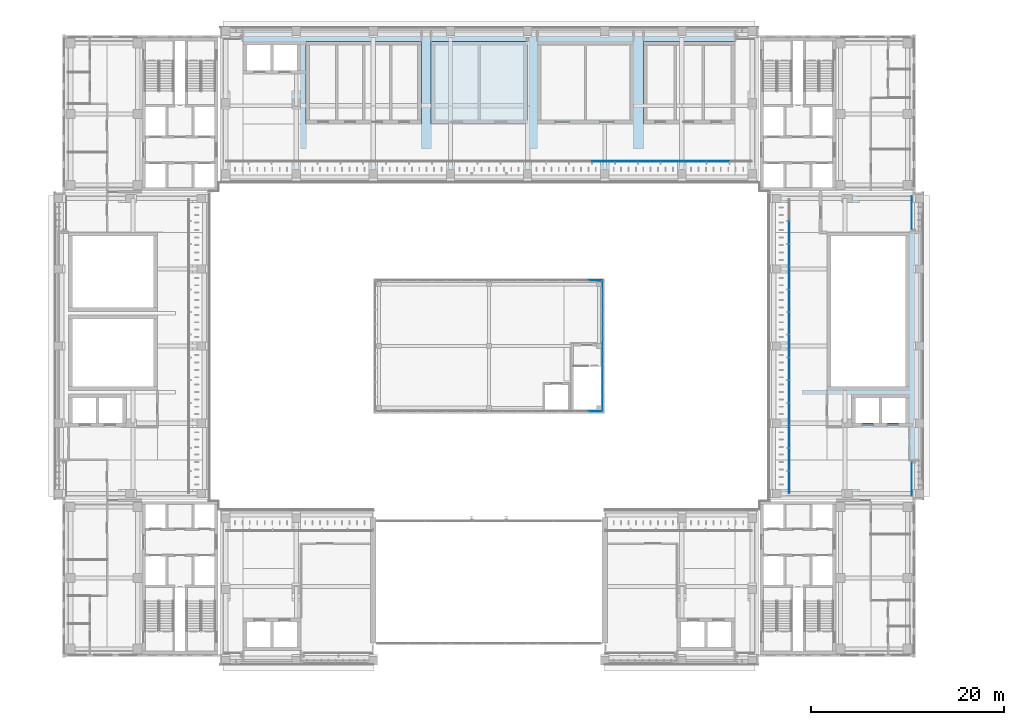
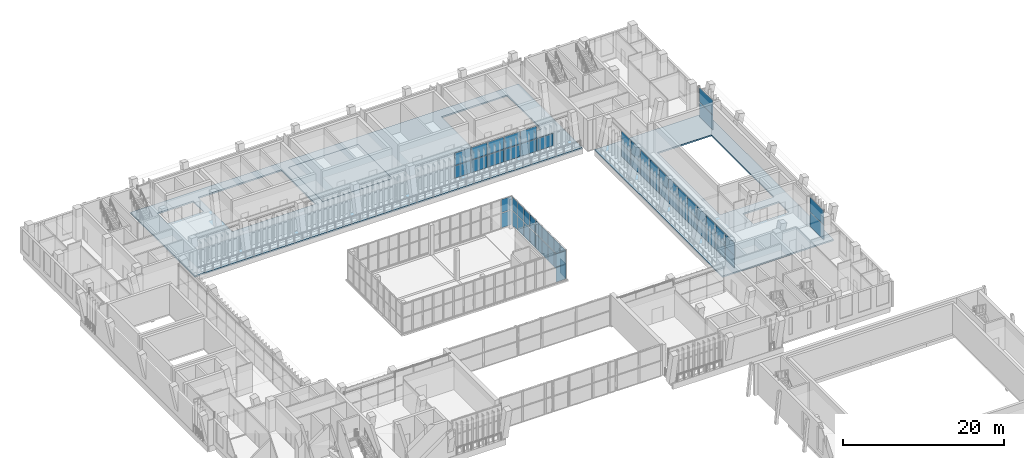
# One storey, part 56 of 92: 61 plates, 3 slabs, 7 elements without a shape of their own.
"""IFC4 building model written with IfcOpenShell, lengths in metres."""

import ifcopenshell
import ifcopenshell.guid

model = None  # the IFC model being written
_history = None  # IfcOwnerHistory: only IFC2X3 demands one
_inside = {}  # id of a spatial element -> (the spatial element, [elements in it])
_under = {}  # id of a project, library or spatial element -> (it, [spatial elements below it])
_declared = {}  # id of a project -> (the project, [libraries it declares])
_typed = {}  # id of a type object -> (the type object, [elements of that type])
_made_of = {}  # id of a material, layer set ... -> (it, [elements and type objects made of it])


def new_model(schema):
    """Start an empty IFC model of exactly this schema.

    Asked for "IFC4X3", IfcOpenShell would pick the latest addendum, in which some entities
    have other attributes; the version numbers below select the first issue.
    IFC2X3 requires an IfcOwnerHistory on every rooted entity: one is made here for all.
    """
    global model, _history
    if schema == "IFC4X3":
        model = ifcopenshell.file(schema_version=(4, 3, 0, 0))
    else:
        model = ifcopenshell.file(schema=schema)
    _inside.clear()
    _under.clear()
    _declared.clear()
    _typed.clear()
    _made_of.clear()
    _history = None
    if model.schema == "IFC2X3":
        org = make("IfcOrganization", Name="unknown")
        user = make(
            "IfcPersonAndOrganization",
            ThePerson=make("IfcPerson", FamilyName="unknown"),
            TheOrganization=org,
        )
        app = make(
            "IfcApplication",
            ApplicationDeveloper=org,
            Version="unknown",
            ApplicationFullName="unknown",
            ApplicationIdentifier="unknown",
        )
        _history = make(
            "IfcOwnerHistory",
            OwningUser=user,
            OwningApplication=app,
            ChangeAction="ADDED",
            CreationDate=0,
        )
    return model


def make(cls, **values):
    """One entity of the class cls with the attributes given. An attribute that is None is left unset."""
    return model.create_entity(
        cls, **{name: value for name, value in values.items() if value is not None}
    )


def rooted(cls, **values):
    """An entity with a GlobalId (a new one), such as an element, a storey or a relation."""
    return make(cls, GlobalId=ifcopenshell.guid.new(), OwnerHistory=_history, **values)


def si_unit(unit_type, name, prefix=None):
    """IfcSIUnit, for example si_unit("LENGTHUNIT", "METRE", prefix="MILLI")."""
    return make("IfcSIUnit", UnitType=unit_type, Prefix=prefix, Name=name)


def assignment(units):
    """IfcUnitAssignment: the units of a project."""
    return None if units is None else make("IfcUnitAssignment", Units=units)


def point(xyz):
    """IfcCartesianPoint."""
    return None if xyz is None else make("IfcCartesianPoint", Coordinates=xyz)


def direction(xyz):
    """IfcDirection."""
    return None if xyz is None else make("IfcDirection", DirectionRatios=xyz)


def frame(location, z_axis=None, x_axis=None):
    """IfcAxis2Placement3D, a coordinate frame: its origin and axes. An axis left out is left unset."""
    return make(
        "IfcAxis2Placement3D",
        Location=point(location),
        Axis=direction(z_axis),
        RefDirection=direction(x_axis),
    )


def frame_2d(location, x_axis=None):
    """IfcAxis2Placement2D, a coordinate frame in the plane: its origin and x axis."""
    return make(
        "IfcAxis2Placement2D", Location=point(location), RefDirection=direction(x_axis)
    )


def origin():
    """The frame at (0, 0, 0) with its axes left unset."""
    return frame((0.0, 0.0, 0.0))


def origin_2d():
    """The frame at (0, 0) in the plane with its x axis left unset."""
    return frame_2d((0.0, 0.0))


def place(relative_to, where):
    """IfcLocalPlacement: puts the frame where relative to a parent placement (None: the world)."""
    return make(
        "IfcLocalPlacement", PlacementRelTo=relative_to, RelativePlacement=where
    )


def context(
    kind, dimensions, precision=None, world=None, true_north=None, identifier=None
):
    """IfcGeometricRepresentationContext, for example the 3D "Model" context."""
    return make(
        "IfcGeometricRepresentationContext",
        ContextIdentifier=identifier,
        ContextType=kind,
        CoordinateSpaceDimension=dimensions,
        Precision=precision,
        WorldCoordinateSystem=world,
        TrueNorth=true_north,
    )


def subcontext(parent, identifier, kind, view, scale=None):
    """IfcGeometricRepresentationSubContext, for example "Body" below "Model"."""
    return make(
        "IfcGeometricRepresentationSubContext",
        ContextIdentifier=identifier,
        ContextType=kind,
        ParentContext=parent,
        TargetScale=scale,
        TargetView=view,
    )


def project(units=None, contexts=None):
    """IfcProject with its units and contexts."""
    return rooted(
        "IfcProject",
        Name="project",
        RepresentationContexts=contexts,
        UnitsInContext=assignment(units),
    )


def spatial(cls, under=None, at=None, **own):
    """A site, building, storey or space (cls), placed at a placement, below another one or the project."""
    s = rooted(cls, ObjectPlacement=at, **own)
    if under is not None:
        _under.setdefault(under.id(), (under, []))[1].append(s)
    return s


def polyline(points):
    """IfcPolyline through the points."""
    return make("IfcPolyline", Points=[point(p) for p in points])


def profile(cls, at=None, kind="AREA", **sizes):
    """A parametric profile (cls). Its sizes go by their IFC names, for example OverallWidth=200.0."""
    return make(cls, ProfileType=kind, Position=at, **sizes)


def rectangle(**sizes):
    """IfcRectangleProfileDef."""
    return profile("IfcRectangleProfileDef", **sizes)


def outline(outer, holes=None, kind="AREA"):
    """IfcArbitraryClosedProfileDef: a profile drawn as a closed curve; with holes, ...WithVoids."""
    if holes is None:
        return make("IfcArbitraryClosedProfileDef", ProfileType=kind, OuterCurve=outer)
    return make(
        "IfcArbitraryProfileDefWithVoids",
        ProfileType=kind,
        OuterCurve=outer,
        InnerCurves=holes,
    )


def extrude(swept, where, along, depth):
    """IfcExtrudedAreaSolid: the profile swept, set in the frame where, extruded along a direction by depth."""
    return make(
        "IfcExtrudedAreaSolid",
        SweptArea=swept,
        Position=where,
        ExtrudedDirection=direction(along),
        Depth=depth,
    )


def shape(context_of_items, identifier, shape_type, items):
    """IfcShapeRepresentation: the items that make up one representation, for example the "Body"."""
    return make(
        "IfcShapeRepresentation",
        ContextOfItems=context_of_items,
        RepresentationIdentifier=identifier,
        RepresentationType=shape_type,
        Items=items,
    )


def material(Name=None, Category=None):
    """IfcMaterial."""
    return make("IfcMaterial", Name=Name, Category=Category)


def layer(
    of_material, thickness, ventilated=None, Name=None, Category=None, Priority=None
):
    """IfcMaterialLayer: one layer of a wall or slab, of a material (None: an air gap)."""
    return make(
        "IfcMaterialLayer",
        Material=of_material,
        LayerThickness=thickness,
        IsVentilated=ventilated,
        Name=Name,
        Category=Category,
        Priority=Priority,
    )


def layer_set(layers, Name=None):
    """IfcMaterialLayerSet."""
    return make("IfcMaterialLayerSet", MaterialLayers=layers, LayerSetName=Name)


def made_of(thing, what):
    """Note that an element or type object is made of a material, layer set ...; save() writes the relation."""
    if what is not None:
        _made_of.setdefault(what.id(), (what, []))[1].append(thing)
    return thing


def type_object(cls, material=None, **own):
    """A type object (cls), such as IfcWallType, which elements share."""
    return made_of(rooted(cls, **own), material)


def element(
    cls,
    number,
    at=None,
    inside=None,
    cuts=None,
    type_object=None,
    material=None,
    context=None,
    identifier="Body",
    shape_type=None,
    held_by="IfcProductDefinitionShape",
    body=None,
    shapes=None,
    **own,
):
    """One element of the class cls, such as IfcWall. Its Tag is "e" and its number.

    at: its placement. inside: the storey or other place that contains it. cuts: it is an
    opening in that element (IfcRelVoidsElement). A single representation is given by context,
    identifier, shape_type and body (its items); several are given by shapes. held_by: the class
    of the entity that holds the representations. save() writes the other relations.
    """
    e = rooted(cls, Tag="e%d" % number, ObjectPlacement=at, **own)
    if body is not None:
        shapes = [shape(context, identifier, shape_type, body)]
    if shapes is not None:
        e.Representation = make(held_by, Representations=shapes)
    if inside is not None:
        _inside.setdefault(inside.id(), (inside, []))[1].append(e)
    if cuts is not None:
        rooted(
            "IfcRelVoidsElement", RelatingBuildingElement=cuts, RelatedOpeningElement=e
        )
    if type_object is not None:
        _typed.setdefault(type_object.id(), (type_object, []))[1].append(e)
    return made_of(e, material)


def aggregate(whole, parts):
    """IfcRelAggregates: a whole, such as a stair, and the parts it consists of."""
    return rooted("IfcRelAggregates", RelatingObject=whole, RelatedObjects=parts)


def save(model, path):
    """Write the relations noted so far, then the file.

    IfcRelAggregates (storeys below a building ...), IfcRelContainedInSpatialStructure (elements
    in a storey), IfcRelDefinesByType, IfcRelAssociatesMaterial and IfcRelDeclares: one each for
    every whole, place, type object, material and project.
    """
    for whole, parts in _under.values():
        aggregate(whole, parts)
    for where, things in _inside.values():
        rooted(
            "IfcRelContainedInSpatialStructure",
            RelatedElements=things,
            RelatingStructure=where,
        )
    for kind, things in _typed.values():
        rooted("IfcRelDefinesByType", RelatedObjects=things, RelatingType=kind)
    for what, things in _made_of.values():
        rooted("IfcRelAssociatesMaterial", RelatedObjects=things, RelatingMaterial=what)
    for by, libraries in _declared.values():
        rooted("IfcRelDeclares", RelatingContext=by, RelatedDefinitions=libraries)
    model.write(path)


model = new_model("IFC4")

# Units and contexts
model_context = context("Model", 3, precision=1e-05, world=origin(), true_north=direction((0.0, 1.0)))
body_context = subcontext(model_context, "Body", "Model", "MODEL_VIEW")
ifc_project = project(units=[si_unit("LENGTHUNIT", "METRE"), si_unit("AREAUNIT", "SQUARE_METRE"), si_unit("VOLUMEUNIT", "CUBIC_METRE"), si_unit("PLANEANGLEUNIT", "RADIAN"), si_unit("MASSUNIT", "GRAM", prefix="KILO")], contexts=[model_context])

# Site, building, storey
site_placement = place(None, origin())
site = spatial("IfcSite", under=ifc_project, at=site_placement, CompositionType="ELEMENT")
building_placement = place(site_placement, origin())
building = spatial("IfcBuilding", under=site, at=building_placement, Name="Lantern Court Media Centre", CompositionType="ELEMENT")
storey_placement = place(building_placement, frame((0.0, 0.0, 4.800048828125)))
storey = spatial("IfcBuildingStorey", under=building, at=storey_placement, Name="L01", CompositionType="ELEMENT", Elevation=4.800048828125)

# Curtain wall, plates
ifc_material_1 = material(Name="Curtain wall bay 2400")
curtain_wall_type_1 = type_object("IfcCurtainWallType", Name="Curtain wall bay 2400", PredefinedType="NOTDEFINED", material=ifc_material_1)
curtain_wall_1_placement = place(storey_placement, origin())
curtain_wall_1 = element("IfcCurtainWall", 1, at=curtain_wall_1_placement, inside=storey, type_object=curtain_wall_type_1, Name="Curtain wall N inner L01", PredefinedType="NOTDEFINED")
ifc_material_2 = material(Name="Low-iron double glazed unit glass", Category="glass")
ifc_layer_1 = layer(ifc_material_2, 0.02392578125)
ifc_layer_set_1 = layer_set([ifc_layer_1], Name="Low-iron double glazed unit glass")
plate_type_1 = type_object("IfcPlateType", Name="Curtain wall glazing unit 24", PredefinedType="CURTAIN_PANEL", material=ifc_layer_set_1)
plate_1_placement = place(storey_placement, frame((63.86962890625, 99.14990234375, 0.050048828125), z_axis=(0.0, 0.0, 1.0), x_axis=(1.0, 0.0, 0.0)))
plate_1 = element("IfcPlate", 2, at=plate_1_placement, type_object=plate_type_1, Name="CW2 panel 17.1", PredefinedType="CURTAIN_PANEL", context=body_context, shape_type="SweptSolid", body=[
    extrude(rectangle(XDim=2.323974609375, YDim=0.02392578125, at=origin_2d()), origin(), (0.0, 0.0, 1.0), 1.89990234375),
])
plate_2_placement = place(storey_placement, frame((63.86962890625, 99.14990234375, 2.0), z_axis=(0.0, 0.0, 1.0), x_axis=(1.0, 0.0, 0.0)))
plate_2 = element("IfcPlate", 3, at=plate_2_placement, type_object=plate_type_1, Name="CW2 panel 17.2", PredefinedType="CURTAIN_PANEL", context=body_context, shape_type="SweptSolid", body=[
    extrude(rectangle(XDim=2.323974609375, YDim=0.02392578125, at=origin_2d()), origin(), (0.0, 0.0, 1.0), 1.89990234375),
])
plate_3_placement = place(storey_placement, frame((66.243408203125, 99.14990234375, 0.050048828125), z_axis=(0.0, 0.0, 1.0), x_axis=(1.0, 0.0, 0.0)))
plate_3 = element("IfcPlate", 4, at=plate_3_placement, type_object=plate_type_1, Name="CW2 panel 18.1", PredefinedType="CURTAIN_PANEL", context=body_context, shape_type="SweptSolid", body=[
    extrude(rectangle(XDim=2.323974609375, YDim=0.02392578125, at=origin_2d()), origin(), (0.0, 0.0, 1.0), 1.89990234375),
])
plate_4_placement = place(storey_placement, frame((66.243408203125, 99.14990234375, 2.0), z_axis=(0.0, 0.0, 1.0), x_axis=(1.0, 0.0, 0.0)))
plate_4 = element("IfcPlate", 5, at=plate_4_placement, type_object=plate_type_1, Name="CW2 panel 18.2", PredefinedType="CURTAIN_PANEL", context=body_context, shape_type="SweptSolid", body=[
    extrude(rectangle(XDim=2.323974609375, YDim=0.02392578125, at=origin_2d()), origin(), (0.0, 0.0, 1.0), 1.89990234375),
])
plate_5_placement = place(storey_placement, frame((68.617431640625, 99.14990234375, 0.050048828125), z_axis=(0.0, 0.0, 1.0), x_axis=(1.0, 0.0, 0.0)))
plate_5 = element("IfcPlate", 6, at=plate_5_placement, type_object=plate_type_1, Name="CW2 panel 19.1", PredefinedType="CURTAIN_PANEL", context=body_context, shape_type="SweptSolid", body=[
    extrude(rectangle(XDim=2.323974609375, YDim=0.02392578125, at=origin_2d()), origin(), (0.0, 0.0, 1.0), 1.89990234375),
])
plate_6_placement = place(storey_placement, frame((68.617431640625, 99.14990234375, 2.0), z_axis=(0.0, 0.0, 1.0), x_axis=(1.0, 0.0, 0.0)))
plate_6 = element("IfcPlate", 7, at=plate_6_placement, type_object=plate_type_1, Name="CW2 panel 19.2", PredefinedType="CURTAIN_PANEL", context=body_context, shape_type="SweptSolid", body=[
    extrude(rectangle(XDim=2.323974609375, YDim=0.02392578125, at=origin_2d()), origin(), (0.0, 0.0, 1.0), 1.89990234375),
])
plate_7_placement = place(storey_placement, frame((70.9912109375, 99.14990234375, 0.050048828125), z_axis=(0.0, 0.0, 1.0), x_axis=(1.0, 0.0, 0.0)))
plate_7 = element("IfcPlate", 8, at=plate_7_placement, type_object=plate_type_1, Name="CW2 panel 20.1", PredefinedType="CURTAIN_PANEL", context=body_context, shape_type="SweptSolid", body=[
    extrude(rectangle(XDim=2.323974609375, YDim=0.02392578125, at=origin_2d()), origin(), (0.0, 0.0, 1.0), 1.89990234375),
])
plate_8_placement = place(storey_placement, frame((70.9912109375, 99.14990234375, 2.0), z_axis=(0.0, 0.0, 1.0), x_axis=(1.0, 0.0, 0.0)))
plate_8 = element("IfcPlate", 9, at=plate_8_placement, type_object=plate_type_1, Name="CW2 panel 20.2", PredefinedType="CURTAIN_PANEL", context=body_context, shape_type="SweptSolid", body=[
    extrude(rectangle(XDim=2.323974609375, YDim=0.02392578125, at=origin_2d()), origin(), (0.0, 0.0, 1.0), 1.89990234375),
])
plate_9_placement = place(storey_placement, frame((73.365234375, 99.14990234375, 0.050048828125), z_axis=(0.0, 0.0, 1.0), x_axis=(1.0, 0.0, 0.0)))
plate_9 = element("IfcPlate", 10, at=plate_9_placement, type_object=plate_type_1, Name="CW2 panel 21.1", PredefinedType="CURTAIN_PANEL", context=body_context, shape_type="SweptSolid", body=[
    extrude(rectangle(XDim=2.323974609375, YDim=0.02392578125, at=origin_2d()), origin(), (0.0, 0.0, 1.0), 1.89990234375),
])
plate_10_placement = place(storey_placement, frame((73.365234375, 99.14990234375, 2.0), z_axis=(0.0, 0.0, 1.0), x_axis=(1.0, 0.0, 0.0)))
plate_10 = element("IfcPlate", 11, at=plate_10_placement, type_object=plate_type_1, Name="CW2 panel 21.2", PredefinedType="CURTAIN_PANEL", context=body_context, shape_type="SweptSolid", body=[
    extrude(rectangle(XDim=2.323974609375, YDim=0.02392578125, at=origin_2d()), origin(), (0.0, 0.0, 1.0), 1.89990234375),
])
plate_11_placement = place(storey_placement, frame((75.739013671875, 99.14990234375, 0.050048828125), z_axis=(0.0, 0.0, 1.0), x_axis=(1.0, 0.0, 0.0)))
plate_11 = element("IfcPlate", 12, at=plate_11_placement, type_object=plate_type_1, Name="CW2 panel 22.1", PredefinedType="CURTAIN_PANEL", context=body_context, shape_type="SweptSolid", body=[
    extrude(rectangle(XDim=2.323974609375, YDim=0.02392578125, at=origin_2d()), origin(), (0.0, 0.0, 1.0), 1.89990234375),
])
aggregate(curtain_wall_1, [plate_1, plate_2, plate_3, plate_4, plate_5, plate_6, plate_7, plate_8, plate_9, plate_10, plate_11])

curtain_wall_2_placement = place(storey_placement, origin())
curtain_wall_2 = element("IfcCurtainWall", 13, at=curtain_wall_2_placement, inside=storey, type_object=curtain_wall_type_1, Name="Curtain wall E inner L01", PredefinedType="NOTDEFINED")
plate_12_placement = place(storey_placement, frame((83.14990234375, 65.889404296875, 0.050048828125), z_axis=(0.0, 0.0, 1.0), x_axis=(0.0, 1.0, 0.0)))
plate_12 = element("IfcPlate", 14, at=plate_12_placement, type_object=plate_type_1, Name="CW2 panel 1.1", PredefinedType="CURTAIN_PANEL", context=body_context, shape_type="SweptSolid", body=[
    extrude(rectangle(XDim=2.27880859375, YDim=0.02392578125, at=origin_2d()), origin(), (0.0, 0.0, 1.0), 1.89990234375),
])
plate_13_placement = place(storey_placement, frame((83.14990234375, 65.889404296875, 2.0), z_axis=(0.0, 0.0, 1.0), x_axis=(0.0, 1.0, 0.0)))
plate_13 = element("IfcPlate", 15, at=plate_13_placement, type_object=plate_type_1, Name="CW2 panel 1.2", PredefinedType="CURTAIN_PANEL", context=body_context, shape_type="SweptSolid", body=[
    extrude(rectangle(XDim=2.27880859375, YDim=0.02392578125, at=origin_2d()), origin(), (0.0, 0.0, 1.0), 1.89990234375),
])
plate_14_placement = place(storey_placement, frame((83.14990234375, 68.230712890625, 0.050048828125), z_axis=(0.0, 0.0, 1.0), x_axis=(0.0, 1.0, 0.0)))
plate_14 = element("IfcPlate", 16, at=plate_14_placement, type_object=plate_type_1, Name="CW2 panel 2.1", PredefinedType="CURTAIN_PANEL", context=body_context, shape_type="SweptSolid", body=[
    extrude(rectangle(XDim=2.303955078125, YDim=0.02392578125, at=origin_2d()), origin(), (0.0, 0.0, 1.0), 1.89990234375),
])
plate_15_placement = place(storey_placement, frame((83.14990234375, 68.230712890625, 2.0), z_axis=(0.0, 0.0, 1.0), x_axis=(0.0, 1.0, 0.0)))
plate_15 = element("IfcPlate", 17, at=plate_15_placement, type_object=plate_type_1, Name="CW2 panel 2.2", PredefinedType="CURTAIN_PANEL", context=body_context, shape_type="SweptSolid", body=[
    extrude(rectangle(XDim=2.303955078125, YDim=0.02392578125, at=origin_2d()), origin(), (0.0, 0.0, 1.0), 1.89990234375),
])
plate_16_placement = place(storey_placement, frame((83.14990234375, 70.584716796875, 0.050048828125), z_axis=(0.0, 0.0, 1.0), x_axis=(0.0, 1.0, 0.0)))
plate_16 = element("IfcPlate", 18, at=plate_16_placement, type_object=plate_type_1, Name="CW2 panel 3.1", PredefinedType="CURTAIN_PANEL", context=body_context, shape_type="SweptSolid", body=[
    extrude(rectangle(XDim=2.303955078125, YDim=0.02392578125, at=origin_2d()), origin(), (0.0, 0.0, 1.0), 1.89990234375),
])
plate_17_placement = place(storey_placement, frame((83.14990234375, 70.584716796875, 2.0), z_axis=(0.0, 0.0, 1.0), x_axis=(0.0, 1.0, 0.0)))
plate_17 = element("IfcPlate", 19, at=plate_17_placement, type_object=plate_type_1, Name="CW2 panel 3.2", PredefinedType="CURTAIN_PANEL", context=body_context, shape_type="SweptSolid", body=[
    extrude(rectangle(XDim=2.303955078125, YDim=0.02392578125, at=origin_2d()), origin(), (0.0, 0.0, 1.0), 1.89990234375),
])
plate_18_placement = place(storey_placement, frame((83.14990234375, 72.9384765625, 0.050048828125), z_axis=(0.0, 0.0, 1.0), x_axis=(0.0, 1.0, 0.0)))
plate_18 = element("IfcPlate", 20, at=plate_18_placement, type_object=plate_type_1, Name="CW2 panel 4.1", PredefinedType="CURTAIN_PANEL", context=body_context, shape_type="SweptSolid", body=[
    extrude(rectangle(XDim=2.303955078125, YDim=0.02392578125, at=origin_2d()), origin(), (0.0, 0.0, 1.0), 1.89990234375),
])
plate_19_placement = place(storey_placement, frame((83.14990234375, 72.9384765625, 2.0), z_axis=(0.0, 0.0, 1.0), x_axis=(0.0, 1.0, 0.0)))
plate_19 = element("IfcPlate", 21, at=plate_19_placement, type_object=plate_type_1, Name="CW2 panel 4.2", PredefinedType="CURTAIN_PANEL", context=body_context, shape_type="SweptSolid", body=[
    extrude(rectangle(XDim=2.303955078125, YDim=0.02392578125, at=origin_2d()), origin(), (0.0, 0.0, 1.0), 1.89990234375),
])
plate_20_placement = place(storey_placement, frame((83.14990234375, 75.292236328125, 0.050048828125), z_axis=(0.0, 0.0, 1.0), x_axis=(0.0, 1.0, 0.0)))
plate_20 = element("IfcPlate", 22, at=plate_20_placement, type_object=plate_type_1, Name="CW2 panel 5.1", PredefinedType="CURTAIN_PANEL", context=body_context, shape_type="SweptSolid", body=[
    extrude(rectangle(XDim=2.303955078125, YDim=0.02392578125, at=origin_2d()), origin(), (0.0, 0.0, 1.0), 1.89990234375),
])
plate_21_placement = place(storey_placement, frame((83.14990234375, 75.292236328125, 2.0), z_axis=(0.0, 0.0, 1.0), x_axis=(0.0, 1.0, 0.0)))
plate_21 = element("IfcPlate", 23, at=plate_21_placement, type_object=plate_type_1, Name="CW2 panel 5.2", PredefinedType="CURTAIN_PANEL", context=body_context, shape_type="SweptSolid", body=[
    extrude(rectangle(XDim=2.303955078125, YDim=0.02392578125, at=origin_2d()), origin(), (0.0, 0.0, 1.0), 1.89990234375),
])
plate_22_placement = place(storey_placement, frame((83.14990234375, 77.646240234375, 0.050048828125), z_axis=(0.0, 0.0, 1.0), x_axis=(0.0, 1.0, 0.0)))
plate_22 = element("IfcPlate", 24, at=plate_22_placement, type_object=plate_type_1, Name="CW2 panel 6.1", PredefinedType="CURTAIN_PANEL", context=body_context, shape_type="SweptSolid", body=[
    extrude(rectangle(XDim=2.303955078125, YDim=0.02392578125, at=origin_2d()), origin(), (0.0, 0.0, 1.0), 1.89990234375),
])
plate_23_placement = place(storey_placement, frame((83.14990234375, 77.646240234375, 2.0), z_axis=(0.0, 0.0, 1.0), x_axis=(0.0, 1.0, 0.0)))
plate_23 = element("IfcPlate", 25, at=plate_23_placement, type_object=plate_type_1, Name="CW2 panel 6.2", PredefinedType="CURTAIN_PANEL", context=body_context, shape_type="SweptSolid", body=[
    extrude(rectangle(XDim=2.303955078125, YDim=0.02392578125, at=origin_2d()), origin(), (0.0, 0.0, 1.0), 1.89990234375),
])
plate_24_placement = place(storey_placement, frame((83.14990234375, 80.0, 0.050048828125), z_axis=(0.0, 0.0, 1.0), x_axis=(0.0, 1.0, 0.0)))
plate_24 = element("IfcPlate", 26, at=plate_24_placement, type_object=plate_type_1, Name="CW2 panel 7.1", PredefinedType="CURTAIN_PANEL", context=body_context, shape_type="SweptSolid", body=[
    extrude(rectangle(XDim=2.303955078125, YDim=0.02392578125, at=origin_2d()), origin(), (0.0, 0.0, 1.0), 1.89990234375),
])
plate_25_placement = place(storey_placement, frame((83.14990234375, 80.0, 2.0), z_axis=(0.0, 0.0, 1.0), x_axis=(0.0, 1.0, 0.0)))
plate_25 = element("IfcPlate", 27, at=plate_25_placement, type_object=plate_type_1, Name="CW2 panel 7.2", PredefinedType="CURTAIN_PANEL", context=body_context, shape_type="SweptSolid", body=[
    extrude(rectangle(XDim=2.303955078125, YDim=0.02392578125, at=origin_2d()), origin(), (0.0, 0.0, 1.0), 1.89990234375),
])
plate_26_placement = place(storey_placement, frame((83.14990234375, 82.353759765625, 0.050048828125), z_axis=(0.0, 0.0, 1.0), x_axis=(0.0, 1.0, 0.0)))
plate_26 = element("IfcPlate", 28, at=plate_26_placement, type_object=plate_type_1, Name="CW2 panel 8.1", PredefinedType="CURTAIN_PANEL", context=body_context, shape_type="SweptSolid", body=[
    extrude(rectangle(XDim=2.303955078125, YDim=0.02392578125, at=origin_2d()), origin(), (0.0, 0.0, 1.0), 1.89990234375),
])
plate_27_placement = place(storey_placement, frame((83.14990234375, 82.353759765625, 2.0), z_axis=(0.0, 0.0, 1.0), x_axis=(0.0, 1.0, 0.0)))
plate_27 = element("IfcPlate", 29, at=plate_27_placement, type_object=plate_type_1, Name="CW2 panel 8.2", PredefinedType="CURTAIN_PANEL", context=body_context, shape_type="SweptSolid", body=[
    extrude(rectangle(XDim=2.303955078125, YDim=0.02392578125, at=origin_2d()), origin(), (0.0, 0.0, 1.0), 1.89990234375),
])
plate_28_placement = place(storey_placement, frame((83.14990234375, 84.707763671875, 0.050048828125), z_axis=(0.0, 0.0, 1.0), x_axis=(0.0, 1.0, 0.0)))
plate_28 = element("IfcPlate", 30, at=plate_28_placement, type_object=plate_type_1, Name="CW2 panel 9.1", PredefinedType="CURTAIN_PANEL", context=body_context, shape_type="SweptSolid", body=[
    extrude(rectangle(XDim=2.303955078125, YDim=0.02392578125, at=origin_2d()), origin(), (0.0, 0.0, 1.0), 1.89990234375),
])
plate_29_placement = place(storey_placement, frame((83.14990234375, 84.707763671875, 2.0), z_axis=(0.0, 0.0, 1.0), x_axis=(0.0, 1.0, 0.0)))
plate_29 = element("IfcPlate", 31, at=plate_29_placement, type_object=plate_type_1, Name="CW2 panel 9.2", PredefinedType="CURTAIN_PANEL", context=body_context, shape_type="SweptSolid", body=[
    extrude(rectangle(XDim=2.303955078125, YDim=0.02392578125, at=origin_2d()), origin(), (0.0, 0.0, 1.0), 1.89990234375),
])
plate_30_placement = place(storey_placement, frame((83.14990234375, 87.0615234375, 0.050048828125), z_axis=(0.0, 0.0, 1.0), x_axis=(0.0, 1.0, 0.0)))
plate_30 = element("IfcPlate", 32, at=plate_30_placement, type_object=plate_type_1, Name="CW2 panel 10.1", PredefinedType="CURTAIN_PANEL", context=body_context, shape_type="SweptSolid", body=[
    extrude(rectangle(XDim=2.303955078125, YDim=0.02392578125, at=origin_2d()), origin(), (0.0, 0.0, 1.0), 1.89990234375),
])
plate_31_placement = place(storey_placement, frame((83.14990234375, 87.0615234375, 2.0), z_axis=(0.0, 0.0, 1.0), x_axis=(0.0, 1.0, 0.0)))
plate_31 = element("IfcPlate", 33, at=plate_31_placement, type_object=plate_type_1, Name="CW2 panel 10.2", PredefinedType="CURTAIN_PANEL", context=body_context, shape_type="SweptSolid", body=[
    extrude(rectangle(XDim=2.303955078125, YDim=0.02392578125, at=origin_2d()), origin(), (0.0, 0.0, 1.0), 1.89990234375),
])
plate_32_placement = place(storey_placement, frame((83.14990234375, 89.415283203125, 0.050048828125), z_axis=(0.0, 0.0, 1.0), x_axis=(0.0, 1.0, 0.0)))
plate_32 = element("IfcPlate", 34, at=plate_32_placement, type_object=plate_type_1, Name="CW2 panel 11.1", PredefinedType="CURTAIN_PANEL", context=body_context, shape_type="SweptSolid", body=[
    extrude(rectangle(XDim=2.303955078125, YDim=0.02392578125, at=origin_2d()), origin(), (0.0, 0.0, 1.0), 1.89990234375),
])
plate_33_placement = place(storey_placement, frame((83.14990234375, 89.415283203125, 2.0), z_axis=(0.0, 0.0, 1.0), x_axis=(0.0, 1.0, 0.0)))
plate_33 = element("IfcPlate", 35, at=plate_33_placement, type_object=plate_type_1, Name="CW2 panel 11.2", PredefinedType="CURTAIN_PANEL", context=body_context, shape_type="SweptSolid", body=[
    extrude(rectangle(XDim=2.303955078125, YDim=0.02392578125, at=origin_2d()), origin(), (0.0, 0.0, 1.0), 1.89990234375),
])
plate_34_placement = place(storey_placement, frame((83.14990234375, 91.769287109375, 0.050048828125), z_axis=(0.0, 0.0, 1.0), x_axis=(0.0, 1.0, 0.0)))
plate_34 = element("IfcPlate", 36, at=plate_34_placement, type_object=plate_type_1, Name="CW2 panel 12.1", PredefinedType="CURTAIN_PANEL", context=body_context, shape_type="SweptSolid", body=[
    extrude(rectangle(XDim=2.303955078125, YDim=0.02392578125, at=origin_2d()), origin(), (0.0, 0.0, 1.0), 1.89990234375),
])
plate_35_placement = place(storey_placement, frame((83.14990234375, 91.769287109375, 2.0), z_axis=(0.0, 0.0, 1.0), x_axis=(0.0, 1.0, 0.0)))
plate_35 = element("IfcPlate", 37, at=plate_35_placement, type_object=plate_type_1, Name="CW2 panel 12.2", PredefinedType="CURTAIN_PANEL", context=body_context, shape_type="SweptSolid", body=[
    extrude(rectangle(XDim=2.303955078125, YDim=0.02392578125, at=origin_2d()), origin(), (0.0, 0.0, 1.0), 1.89990234375),
])
aggregate(curtain_wall_2, [plate_12, plate_13, plate_14, plate_15, plate_16, plate_17, plate_18, plate_19, plate_20, plate_21, plate_22, plate_23, plate_24, plate_25, plate_26, plate_27, plate_28, plate_29, plate_30, plate_31, plate_32, plate_33, plate_34, plate_35])

ifc_material_3 = material(Name="Curtain wall bay 3000")
curtain_wall_type_2 = type_object("IfcCurtainWallType", Name="Curtain wall bay 3000", PredefinedType="NOTDEFINED", material=ifc_material_3)
curtain_wall_3_placement = place(storey_placement, origin())
curtain_wall_3 = element("IfcCurtainWall", 38, at=curtain_wall_3_placement, inside=storey, type_object=curtain_wall_type_2, Name="Curtain wall E outer L01", PredefinedType="NOTDEFINED")
ifc_layer_2 = layer(ifc_material_2, 0.028076171875)
ifc_layer_set_2 = layer_set([ifc_layer_2], Name="Low-iron double glazed unit glass")
plate_type_2 = type_object("IfcPlateType", Name="Curtain wall glazing unit 28", PredefinedType="CURTAIN_PANEL", material=ifc_layer_set_2)
plate_36_placement = place(storey_placement, frame((95.85009765625, 66.18505859375, 0.06005859375), z_axis=(0.0, 0.0, 1.0), x_axis=(0.0, 1.0, 0.0)))
plate_36 = element("IfcPlate", 39, at=plate_36_placement, type_object=plate_type_2, Name="CW1 panel 1.1", PredefinedType="CURTAIN_PANEL", context=body_context, shape_type="SweptSolid", body=[
    extrude(rectangle(XDim=3.409912109375, YDim=0.028076171875, at=origin_2d()), origin(), (0.0, 0.0, 1.0), 2.199951171875),
])
plate_37_placement = place(storey_placement, frame((95.85009765625, 66.18505859375, 2.31982421875), z_axis=(0.0, 0.0, 1.0), x_axis=(0.0, 1.0, 0.0)))
plate_37 = element("IfcPlate", 40, at=plate_37_placement, type_object=plate_type_2, Name="CW1 panel 1.2", PredefinedType="CURTAIN_PANEL", context=body_context, shape_type="SweptSolid", body=[
    extrude(rectangle(XDim=3.409912109375, YDim=0.028076171875, at=origin_2d()), origin(), (0.0, 0.0, 1.0), 2.199951171875),
])
aggregate(curtain_wall_3, [plate_36, plate_37])

curtain_wall_4_placement = place(storey_placement, origin())
curtain_wall_4 = element("IfcCurtainWall", 41, at=curtain_wall_4_placement, inside=storey, type_object=curtain_wall_type_2, Name="Curtain wall E outer L01", PredefinedType="NOTDEFINED")
plate_38_placement = place(storey_placement, frame((95.85009765625, 93.81494140625, 0.06005859375), z_axis=(0.0, 0.0, 1.0), x_axis=(0.0, 1.0, 0.0)))
plate_38 = element("IfcPlate", 42, at=plate_38_placement, type_object=plate_type_2, Name="CW1 panel 1.1", PredefinedType="CURTAIN_PANEL", context=body_context, shape_type="SweptSolid", body=[
    extrude(rectangle(XDim=3.409912109375, YDim=0.028076171875, at=origin_2d()), origin(), (0.0, 0.0, 1.0), 2.199951171875),
])
plate_39_placement = place(storey_placement, frame((95.85009765625, 93.81494140625, 2.31982421875), z_axis=(0.0, 0.0, 1.0), x_axis=(0.0, 1.0, 0.0)))
plate_39 = element("IfcPlate", 43, at=plate_39_placement, type_object=plate_type_2, Name="CW1 panel 1.2", PredefinedType="CURTAIN_PANEL", context=body_context, shape_type="SweptSolid", body=[
    extrude(rectangle(XDim=3.409912109375, YDim=0.028076171875, at=origin_2d()), origin(), (0.0, 0.0, 1.0), 2.199951171875),
])
aggregate(curtain_wall_4, [plate_38, plate_39])

ifc_material_4 = material(Name="Aluminium and glass", Category="aluminium")
ifc_layer_3 = layer(ifc_material_4, 0.14990234375)
ifc_layer_set_3 = layer_set([ifc_layer_3], Name="Aluminium and glass")
curtain_wall_type_3 = type_object("IfcCurtainWallType", Name="Hall lancet glazing", PredefinedType="NOTDEFINED", material=ifc_layer_set_3)
curtain_wall_5_placement = place(storey_placement, origin())
curtain_wall_5 = element("IfcCurtainWall", 44, at=curtain_wall_5_placement, inside=storey, type_object=curtain_wall_type_3, Name="Press box glazing S 3", PredefinedType="NOTDEFINED")
ifc_material_5 = material(Name="Laminated glass 6+6", Category="glass")
ifc_layer_4 = layer(ifc_material_5, 0.028076171875)
ifc_layer_set_4 = layer_set([ifc_layer_4], Name="Laminated glass 6+6")
plate_type_3 = type_object("IfcPlateType", Name="HP", PredefinedType="CURTAIN_PANEL", material=ifc_layer_set_4)
plate_40_placement = place(storey_placement, frame((63.047607421875, 73.199951171875, 0.1201171875), z_axis=(0.0, 0.0, 1.0), x_axis=(1.0, 0.0, 0.0)))
plate_40 = element("IfcPlate", 45, at=plate_40_placement, type_object=plate_type_3, Name="HCW-PS3 panel 16.1", PredefinedType="CURTAIN_PANEL", context=body_context, shape_type="SweptSolid", body=[
    extrude(rectangle(XDim=1.385009765625, YDim=0.028076171875, at=origin_2d()), origin(), (0.0, 0.0, 1.0), 2.219970703125),
])
plate_41_placement = place(storey_placement, frame((63.047607421875, 73.199951171875, 2.4599609375), z_axis=(0.0, 0.0, 1.0), x_axis=(1.0, 0.0, 0.0)))
plate_41 = element("IfcPlate", 46, at=plate_41_placement, type_object=plate_type_3, Name="HCW-PS3 panel 16.2", PredefinedType="CURTAIN_PANEL", context=body_context, shape_type="SweptSolid", body=[
    extrude(rectangle(XDim=1.385009765625, YDim=0.028076171875, at=origin_2d()), origin(), (0.0, 0.0, 1.0), 1.969970703125),
])
aggregate(curtain_wall_5, [plate_40, plate_41])

curtain_wall_6_placement = place(storey_placement, origin())
curtain_wall_6 = element("IfcCurtainWall", 47, at=curtain_wall_6_placement, inside=storey, type_object=curtain_wall_type_3, Name="Press box glazing N 3", PredefinedType="NOTDEFINED")
plate_42_placement = place(storey_placement, frame((63.047607421875, 86.800048828125, 0.1201171875), z_axis=(0.0, 0.0, 1.0), x_axis=(1.0, 0.0, 0.0)))
plate_42 = element("IfcPlate", 48, at=plate_42_placement, type_object=plate_type_3, Name="HCW-PN3 panel 16.1", PredefinedType="CURTAIN_PANEL", context=body_context, shape_type="SweptSolid", body=[
    extrude(rectangle(XDim=1.385009765625, YDim=0.028076171875, at=origin_2d()), origin(), (0.0, 0.0, 1.0), 2.219970703125),
])
plate_43_placement = place(storey_placement, frame((63.047607421875, 86.800048828125, 2.4599609375), z_axis=(0.0, 0.0, 1.0), x_axis=(1.0, 0.0, 0.0)))
plate_43 = element("IfcPlate", 49, at=plate_43_placement, type_object=plate_type_3, Name="HCW-PN3 panel 16.2", PredefinedType="CURTAIN_PANEL", context=body_context, shape_type="SweptSolid", body=[
    extrude(rectangle(XDim=1.385009765625, YDim=0.028076171875, at=origin_2d()), origin(), (0.0, 0.0, 1.0), 1.969970703125),
])
aggregate(curtain_wall_6, [plate_42, plate_43])

curtain_wall_7_placement = place(storey_placement, origin())
curtain_wall_7 = element("IfcCurtainWall", 50, at=curtain_wall_7_placement, inside=storey, type_object=curtain_wall_type_3, Name="Press box glazing E 3", PredefinedType="NOTDEFINED")
plate_44_placement = place(storey_placement, frame((63.800048828125, 73.970458984375, 0.1201171875), z_axis=(0.0, 0.0, 1.0), x_axis=(0.0, 1.0, 0.0)))
plate_44 = element("IfcPlate", 51, at=plate_44_placement, type_object=plate_type_3, Name="HCW-PE3 panel 1.1", PredefinedType="CURTAIN_PANEL", context=body_context, shape_type="SweptSolid", body=[
    extrude(rectangle(XDim=1.421142578125, YDim=0.028076171875, at=origin_2d()), origin(), (0.0, 0.0, 1.0), 2.219970703125),
])
plate_45_placement = place(storey_placement, frame((63.800048828125, 73.970458984375, 2.4599609375), z_axis=(0.0, 0.0, 1.0), x_axis=(0.0, 1.0, 0.0)))
plate_45 = element("IfcPlate", 52, at=plate_45_placement, type_object=plate_type_3, Name="HCW-PE3 panel 1.2", PredefinedType="CURTAIN_PANEL", context=body_context, shape_type="SweptSolid", body=[
    extrude(rectangle(XDim=1.421142578125, YDim=0.028076171875, at=origin_2d()), origin(), (0.0, 0.0, 1.0), 1.969970703125),
])
plate_46_placement = place(storey_placement, frame((63.800048828125, 75.466552734375, 0.1201171875), z_axis=(0.0, 0.0, 1.0), x_axis=(0.0, 1.0, 0.0)))
plate_46 = element("IfcPlate", 53, at=plate_46_placement, type_object=plate_type_3, Name="HCW-PE3 panel 2.1", PredefinedType="CURTAIN_PANEL", context=body_context, shape_type="SweptSolid", body=[
    extrude(rectangle(XDim=1.451171875, YDim=0.028076171875, at=origin_2d()), origin(), (0.0, 0.0, 1.0), 2.219970703125),
])
plate_47_placement = place(storey_placement, frame((63.800048828125, 75.466552734375, 2.4599609375), z_axis=(0.0, 0.0, 1.0), x_axis=(0.0, 1.0, 0.0)))
plate_47 = element("IfcPlate", 54, at=plate_47_placement, type_object=plate_type_3, Name="HCW-PE3 panel 2.2", PredefinedType="CURTAIN_PANEL", context=body_context, shape_type="SweptSolid", body=[
    extrude(rectangle(XDim=1.451171875, YDim=0.028076171875, at=origin_2d()), origin(), (0.0, 0.0, 1.0), 1.969970703125),
])
plate_48_placement = place(storey_placement, frame((63.800048828125, 76.977783203125, 0.1201171875), z_axis=(0.0, 0.0, 1.0), x_axis=(0.0, 1.0, 0.0)))
plate_48 = element("IfcPlate", 55, at=plate_48_placement, type_object=plate_type_3, Name="HCW-PE3 panel 3.1", PredefinedType="CURTAIN_PANEL", context=body_context, shape_type="SweptSolid", body=[
    extrude(rectangle(XDim=1.451171875, YDim=0.028076171875, at=origin_2d()), origin(), (0.0, 0.0, 1.0), 2.219970703125),
])
plate_49_placement = place(storey_placement, frame((63.800048828125, 76.977783203125, 2.4599609375), z_axis=(0.0, 0.0, 1.0), x_axis=(0.0, 1.0, 0.0)))
plate_49 = element("IfcPlate", 56, at=plate_49_placement, type_object=plate_type_3, Name="HCW-PE3 panel 3.2", PredefinedType="CURTAIN_PANEL", context=body_context, shape_type="SweptSolid", body=[
    extrude(rectangle(XDim=1.451171875, YDim=0.028076171875, at=origin_2d()), origin(), (0.0, 0.0, 1.0), 1.969970703125),
])
plate_50_placement = place(storey_placement, frame((63.800048828125, 78.48876953125, 0.1201171875), z_axis=(0.0, 0.0, 1.0), x_axis=(0.0, 1.0, 0.0)))
plate_50 = element("IfcPlate", 57, at=plate_50_placement, type_object=plate_type_3, Name="HCW-PE3 panel 4.1", PredefinedType="CURTAIN_PANEL", context=body_context, shape_type="SweptSolid", body=[
    extrude(rectangle(XDim=1.451171875, YDim=0.028076171875, at=origin_2d()), origin(), (0.0, 0.0, 1.0), 2.219970703125),
])
plate_51_placement = place(storey_placement, frame((63.800048828125, 78.48876953125, 2.4599609375), z_axis=(0.0, 0.0, 1.0), x_axis=(0.0, 1.0, 0.0)))
plate_51 = element("IfcPlate", 58, at=plate_51_placement, type_object=plate_type_3, Name="HCW-PE3 panel 4.2", PredefinedType="CURTAIN_PANEL", context=body_context, shape_type="SweptSolid", body=[
    extrude(rectangle(XDim=1.451171875, YDim=0.028076171875, at=origin_2d()), origin(), (0.0, 0.0, 1.0), 1.969970703125),
])
plate_52_placement = place(storey_placement, frame((63.800048828125, 80.0, 0.1201171875), z_axis=(0.0, 0.0, 1.0), x_axis=(0.0, 1.0, 0.0)))
plate_52 = element("IfcPlate", 59, at=plate_52_placement, type_object=plate_type_3, Name="HCW-PE3 panel 5.1", PredefinedType="CURTAIN_PANEL", context=body_context, shape_type="SweptSolid", body=[
    extrude(rectangle(XDim=1.451171875, YDim=0.028076171875, at=origin_2d()), origin(), (0.0, 0.0, 1.0), 2.219970703125),
])
plate_53_placement = place(storey_placement, frame((63.800048828125, 80.0, 2.4599609375), z_axis=(0.0, 0.0, 1.0), x_axis=(0.0, 1.0, 0.0)))
plate_53 = element("IfcPlate", 60, at=plate_53_placement, type_object=plate_type_3, Name="HCW-PE3 panel 5.2", PredefinedType="CURTAIN_PANEL", context=body_context, shape_type="SweptSolid", body=[
    extrude(rectangle(XDim=1.451171875, YDim=0.028076171875, at=origin_2d()), origin(), (0.0, 0.0, 1.0), 1.969970703125),
])
plate_54_placement = place(storey_placement, frame((63.800048828125, 81.51123046875, 0.1201171875), z_axis=(0.0, 0.0, 1.0), x_axis=(0.0, 1.0, 0.0)))
plate_54 = element("IfcPlate", 61, at=plate_54_placement, type_object=plate_type_3, Name="HCW-PE3 panel 6.1", PredefinedType="CURTAIN_PANEL", context=body_context, shape_type="SweptSolid", body=[
    extrude(rectangle(XDim=1.451171875, YDim=0.028076171875, at=origin_2d()), origin(), (0.0, 0.0, 1.0), 2.219970703125),
])
plate_55_placement = place(storey_placement, frame((63.800048828125, 81.51123046875, 2.4599609375), z_axis=(0.0, 0.0, 1.0), x_axis=(0.0, 1.0, 0.0)))
plate_55 = element("IfcPlate", 62, at=plate_55_placement, type_object=plate_type_3, Name="HCW-PE3 panel 6.2", PredefinedType="CURTAIN_PANEL", context=body_context, shape_type="SweptSolid", body=[
    extrude(rectangle(XDim=1.451171875, YDim=0.028076171875, at=origin_2d()), origin(), (0.0, 0.0, 1.0), 1.969970703125),
])
plate_56_placement = place(storey_placement, frame((63.800048828125, 83.022216796875, 0.1201171875), z_axis=(0.0, 0.0, 1.0), x_axis=(0.0, 1.0, 0.0)))
plate_56 = element("IfcPlate", 63, at=plate_56_placement, type_object=plate_type_3, Name="HCW-PE3 panel 7.1", PredefinedType="CURTAIN_PANEL", context=body_context, shape_type="SweptSolid", body=[
    extrude(rectangle(XDim=1.451171875, YDim=0.028076171875, at=origin_2d()), origin(), (0.0, 0.0, 1.0), 2.219970703125),
])
plate_57_placement = place(storey_placement, frame((63.800048828125, 83.022216796875, 2.4599609375), z_axis=(0.0, 0.0, 1.0), x_axis=(0.0, 1.0, 0.0)))
plate_57 = element("IfcPlate", 64, at=plate_57_placement, type_object=plate_type_3, Name="HCW-PE3 panel 7.2", PredefinedType="CURTAIN_PANEL", context=body_context, shape_type="SweptSolid", body=[
    extrude(rectangle(XDim=1.451171875, YDim=0.028076171875, at=origin_2d()), origin(), (0.0, 0.0, 1.0), 1.969970703125),
])
plate_58_placement = place(storey_placement, frame((63.800048828125, 84.533447265625, 0.1201171875), z_axis=(0.0, 0.0, 1.0), x_axis=(0.0, 1.0, 0.0)))
plate_58 = element("IfcPlate", 65, at=plate_58_placement, type_object=plate_type_3, Name="HCW-PE3 panel 8.1", PredefinedType="CURTAIN_PANEL", context=body_context, shape_type="SweptSolid", body=[
    extrude(rectangle(XDim=1.451171875, YDim=0.028076171875, at=origin_2d()), origin(), (0.0, 0.0, 1.0), 2.219970703125),
])
plate_59_placement = place(storey_placement, frame((63.800048828125, 84.533447265625, 2.4599609375), z_axis=(0.0, 0.0, 1.0), x_axis=(0.0, 1.0, 0.0)))
plate_59 = element("IfcPlate", 66, at=plate_59_placement, type_object=plate_type_3, Name="HCW-PE3 panel 8.2", PredefinedType="CURTAIN_PANEL", context=body_context, shape_type="SweptSolid", body=[
    extrude(rectangle(XDim=1.451171875, YDim=0.028076171875, at=origin_2d()), origin(), (0.0, 0.0, 1.0), 1.969970703125),
])
plate_60_placement = place(storey_placement, frame((63.800048828125, 86.029541015625, 0.1201171875), z_axis=(0.0, 0.0, 1.0), x_axis=(0.0, 1.0, 0.0)))
plate_60 = element("IfcPlate", 67, at=plate_60_placement, type_object=plate_type_3, Name="HCW-PE3 panel 9.1", PredefinedType="CURTAIN_PANEL", context=body_context, shape_type="SweptSolid", body=[
    extrude(rectangle(XDim=1.421142578125, YDim=0.028076171875, at=origin_2d()), origin(), (0.0, 0.0, 1.0), 2.219970703125),
])
plate_61_placement = place(storey_placement, frame((63.800048828125, 86.029541015625, 2.4599609375), z_axis=(0.0, 0.0, 1.0), x_axis=(0.0, 1.0, 0.0)))
plate_61 = element("IfcPlate", 68, at=plate_61_placement, type_object=plate_type_3, Name="HCW-PE3 panel 9.2", PredefinedType="CURTAIN_PANEL", context=body_context, shape_type="SweptSolid", body=[
    extrude(rectangle(XDim=1.421142578125, YDim=0.028076171875, at=origin_2d()), origin(), (0.0, 0.0, 1.0), 1.969970703125),
])
aggregate(curtain_wall_7, [plate_44, plate_45, plate_46, plate_47, plate_48, plate_49, plate_50, plate_51, plate_52, plate_53, plate_54, plate_55, plate_56, plate_57, plate_58, plate_59, plate_60, plate_61])

# Slabs
ifc_material_6 = material(Name="Concrete C35", Category="concrete")
ifc_layer_5 = layer(ifc_material_6, 0.219970703125)
ifc_layer_set_5 = layer_set([ifc_layer_5], Name="Concrete C35")
slab_type_1 = type_object("IfcSlabType", Name="RC FLOOR SLAB 220", PredefinedType="FLOOR", material=ifc_layer_set_5)
slab_1_placement = place(storey_placement, frame((0.0, 0.0, -0.219970703125)))
element("IfcSlab", 69, at=slab_1_placement, inside=storey, type_object=slab_type_1, Name="SL-N-L01", PredefinedType="FLOOR", context=body_context, shape_type="SweptSolid", body=[
    extrude(outline(polyline([(68.0, 97.0), (56.0, 97.0), (46.0, 97.0), (45.0, 97.0), (33.0, 97.0), (24.10009765625, 97.0), (24.10009765625, 113.0), (33.0, 113.0), (45.0, 113.0), (46.0, 113.0), (56.0, 113.0), (68.0, 113.0), (77.5, 113.0), (79.89990234375, 113.0), (79.89990234375, 97.0), (77.5, 97.0), (68.0, 97.0)]), holes=[polyline([(68.0, 103.050048828125), (77.5, 103.050048828125), (77.5, 111.60009765625), (68.0, 111.60009765625), (68.0, 103.050048828125)]), polyline([(46.0, 103.050048828125), (56.0, 103.050048828125), (56.0, 111.60009765625), (46.0, 111.60009765625), (46.0, 103.050048828125)]), polyline([(33.0, 103.050048828125), (45.0, 103.050048828125), (45.0, 111.60009765625), (33.0, 111.60009765625), (33.0, 103.050048828125)]), polyline([(32.10009765625, 111.199951171875), (26.89990234375, 111.199951171875), (26.89990234375, 108.60009765625), (32.10009765625, 108.60009765625), (32.10009765625, 111.199951171875)])]), origin(), (0.0, 0.0, 1.0), 0.219970703125),
])
slab_2_placement = place(storey_placement, frame((0.0, 0.0, -0.219970703125)))
element("IfcSlab", 70, at=slab_2_placement, inside=storey, type_object=slab_type_1, Name="SL-E-L01", PredefinedType="FLOOR", context=body_context, shape_type="SweptSolid", body=[
    extrude(outline(polyline([(81.0, 64.10009765625), (81.0, 95.89990234375), (97.0, 95.89990234375), (97.0, 64.10009765625), (81.0, 64.10009765625)]), holes=[polyline([(95.199951171875, 72.0), (95.199951171875, 74.60009765625), (90.0, 74.60009765625), (90.0, 72.0), (95.199951171875, 72.0)]), polyline([(95.199951171875, 75.800048828125), (95.199951171875, 91.39990234375), (87.449951171875, 91.39990234375), (87.449951171875, 75.800048828125), (95.199951171875, 75.800048828125)])]), origin(), (0.0, 0.0, 1.0), 0.219970703125),
])
ifc_layer_6 = layer(ifc_material_6, 0.419921875)
ifc_layer_set_6 = layer_set([ifc_layer_6], Name="Concrete C35")
slab_type_2 = type_object("IfcSlabType", Name="RC FLOOR SLAB 420", PredefinedType="FLOOR", material=ifc_layer_set_6)
slab_3_placement = place(storey_placement, frame((0.0, 0.0, -0.420166015625)))
element("IfcSlab", 71, at=slab_3_placement, inside=storey, type_object=slab_type_2, Name="SL-N-L01-D2", PredefinedType="FLOOR", context=body_context, shape_type="SweptSolid", body=[
    extrude(outline(polyline([(56.0, 103.050048828125), (56.0, 111.60009765625), (46.0, 111.60009765625), (46.0, 103.050048828125), (56.0, 103.050048828125)])), origin(), (0.0, 0.0, 1.0), 0.420166015625),
])

save(model, "model.ifc")
